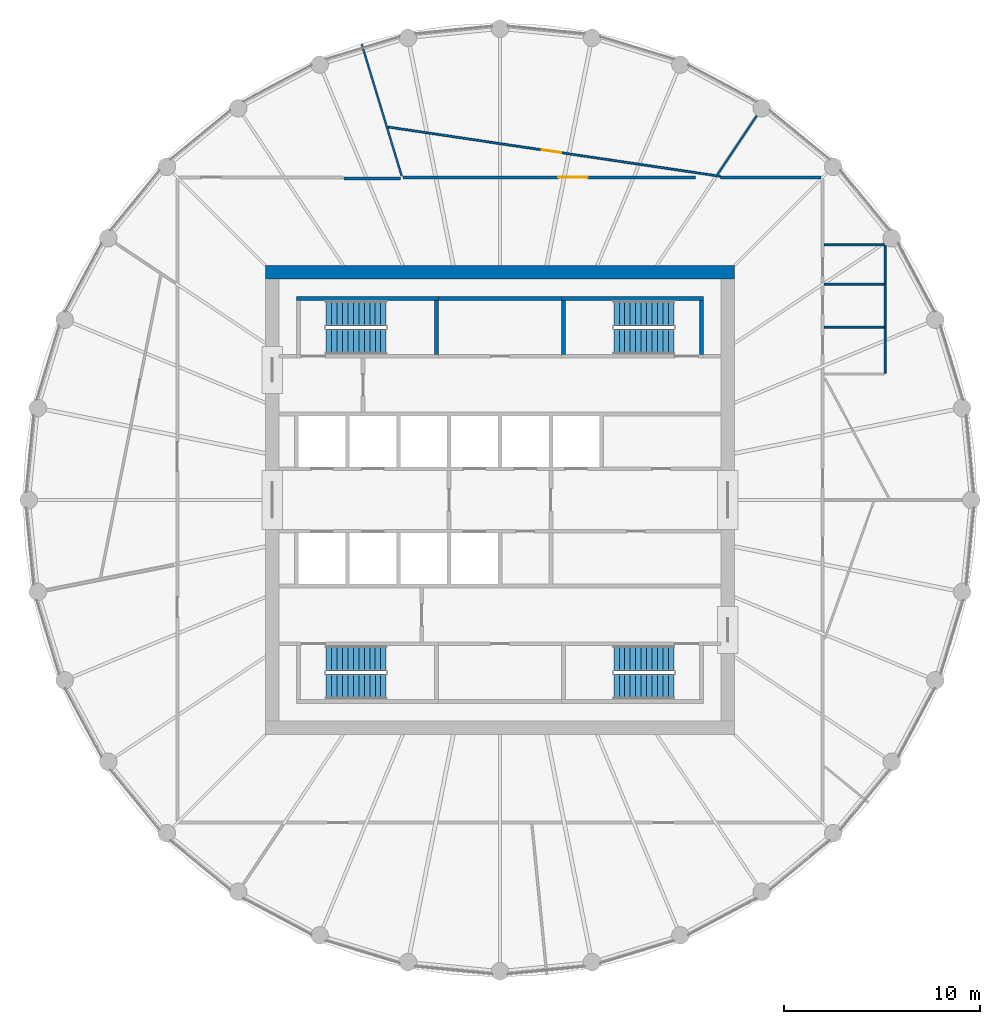
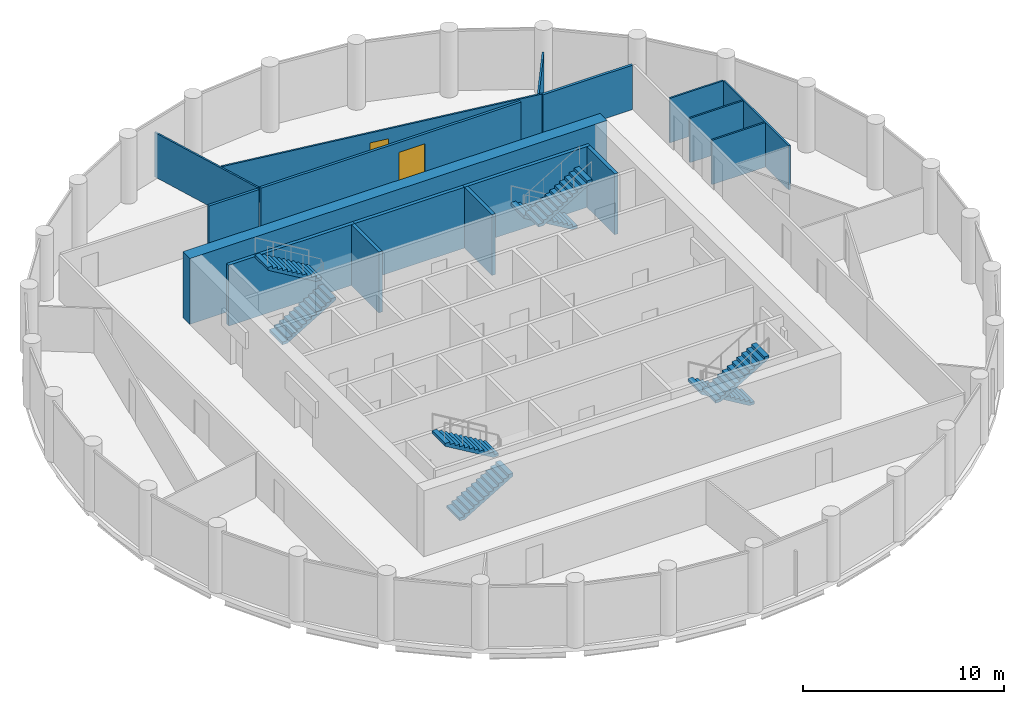
# One storey, part 6 of 7: 17 walls, 8 stair flights, 2 doors, 2 openings, 4 elements without a shape of their own.
"""IFC4 building model written with IfcOpenShell, lengths in metres."""

from ifc_helpers import new_model, si_unit, direction, frame, frame_2d, origin, place, context, subcontext, project, spatial, polyline, rectangle, outline, extrude, material, layer, layer_set, type_object, element, fill, aggregate, save


model = new_model("IFC4")

# Units and contexts
model_context = context("Model", 3, precision=1e-05, world=origin(), true_north=direction((0.0, 1.0)))
body_context = subcontext(model_context, "Body", "Model", "MODEL_VIEW")
ifc_project = project(units=[si_unit("LENGTHUNIT", "METRE"), si_unit("AREAUNIT", "SQUARE_METRE"), si_unit("VOLUMEUNIT", "CUBIC_METRE"), si_unit("PLANEANGLEUNIT", "RADIAN"), si_unit("MASSUNIT", "GRAM", prefix="KILO")], contexts=[model_context])

# Site, building, storey
site_placement = place(None, origin())
site = spatial("IfcSite", under=ifc_project, at=site_placement, CompositionType="ELEMENT")
building_placement = place(site_placement, origin())
building = spatial("IfcBuilding", under=site, at=building_placement, Name="Corvane Civic Tower", CompositionType="ELEMENT")
storey_placement = place(building_placement, frame((0.0, 0.0, 287.0)))
storey = spatial("IfcBuildingStorey", under=building, at=storey_placement, Name="L68", CompositionType="ELEMENT", Elevation=287.0)

# Walls
ifc_material_1 = material(Name="Concrete C40/50", Category="concrete")
ifc_layer_1 = layer(ifc_material_1, 0.699951171875)
ifc_layer_set_1 = layer_set([ifc_layer_1], Name="Concrete C40/50")
wall_type_1 = type_object("IfcWallType", Name="CORE WALL 700 C40/50", PredefinedType="SHEAR", material=ifc_layer_set_1)
wall_1_placement = place(storey_placement, frame((-12.0, 11.64990234375, 0.0), z_axis=(0.0, 0.0, 1.0), x_axis=(1.0, 0.0, 0.0)))
element("IfcWall", 1, at=wall_1_placement, inside=storey, type_object=wall_type_1, Name="W-L68-core-N", PredefinedType="SHEAR", context=body_context, shape_type="SweptSolid", body=[
    extrude(rectangle(XDim=24.0, YDim=0.699951171875, at=frame_2d((12.0, 0.0))), origin(), (0.0, 0.0, 1.0), 4.0),
])
ifc_material_2 = material(Name="Concrete C30/37", Category="concrete")
ifc_layer_2 = layer(ifc_material_2, 0.199951171875)
ifc_layer_set_2 = layer_set([ifc_layer_2], Name="Concrete C30/37")
wall_type_2 = type_object("IfcWallType", Name="CR-WALL-200", PredefinedType="PARTITIONING", material=ifc_layer_set_2)
wall_2_placement = place(storey_placement, origin())
element("IfcWall", 2, at=wall_2_placement, inside=storey, type_object=wall_type_2, Name="L68 core partition wall", PredefinedType="PARTITIONING", context=body_context, shape_type="SweptSolid", body=[
    extrude(outline(polyline([(3.14990234375, 10.199951171875), (-3.14990234375, 10.199951171875), (-3.14990234375, 10.39990234375), (3.14990234375, 10.39990234375), (3.14990234375, 10.199951171875)])), origin(), (0.0, 0.0, 1.0), 3.699951171875),
])
ifc_material_3 = material(Name="Plasterboard")
ifc_layer_3 = layer(ifc_material_3, 0.10009765625)
ifc_layer_set_3 = layer_set([ifc_layer_3], Name="Plasterboard")
wall_type_3 = type_object("IfcWallType", Name="Partition 100 plasterboard on studs", PredefinedType="PARTITIONING", material=ifc_layer_set_3)
wall_3_placement = place(storey_placement, frame((19.699951171875, 6.4951171875, 0.0), z_axis=(0.0, 0.0, 1.0), x_axis=(0.0, 1.0, 0.0)))
element("IfcWall", 3, at=wall_3_placement, inside=storey, type_object=wall_type_3, Name="Partition L68.015", PredefinedType="PARTITIONING", context=body_context, shape_type="SweptSolid", body=[
    extrude(rectangle(XDim=6.5, YDim=0.10009765625, at=frame_2d((3.25, 0.0))), origin(), (0.0, 0.0, 1.0), 2.699951171875),
])
for number, where, z_axis, x_axis, name in (
    (4, (16.574951171875, 8.844970703125, 0.0), (0.0, 0.0, 1.0), (1.0, 0.0, 0.0), "Partition L68.016"),
    (5, (16.574951171875, 11.044921875, 0.0), (0.0, 0.0, 1.0), (1.0, 0.0, 0.0), "Partition L68.017"),
    (6, (16.574951171875, 13.044921875, 0.0), (0.0, 0.0, 1.0), (1.0, 0.0, 0.0), "Partition L68.019"),
):
    element("IfcWall", number, at=place(storey_placement, frame(where, z_axis=z_axis, x_axis=x_axis)), inside=storey, type_object=wall_type_3, Name=name, PredefinedType="PARTITIONING", context=body_context, shape_type="SweptSolid", body=[
        extrude(rectangle(XDim=3.074951171875, YDim=0.10009765625, at=frame_2d((1.53759765625, 0.0))), origin(), (0.0, 0.0, 1.0), 2.699951171875),
    ])
wall_4_placement = place(storey_placement, frame((-7.068603515625, 23.3017578125, 0.0), z_axis=(0.0, 0.0, 1.0), x_axis=(0.290279752693, -0.956941829568, 0.0)))
element("IfcWall", 7, at=wall_4_placement, inside=storey, type_object=wall_type_3, Name="Partition L68.024", PredefinedType="PARTITIONING", context=body_context, shape_type="SweptSolid", body=[
    extrude(rectangle(XDim=7.04052734375, YDim=0.10009765625, at=frame_2d((3.520263671875, 0.0))), origin(), (0.0, 0.0, 1.0), 2.699951171875),
])

# Wall, opening, door
wall_5_placement = place(storey_placement, frame((-5.711669921875, 19.074462890625, 0.0), z_axis=(0.0, 0.0, 1.0), x_axis=(0.989177097484, -0.146726513669, 0.0)))
wall_5 = element("IfcWall", 8, at=wall_5_placement, inside=storey, type_object=wall_type_3, Name="Partition L68.025", PredefinedType="PARTITIONING", context=body_context, shape_type="SweptSolid", body=[
    extrude(rectangle(XDim=17.163330078125, YDim=0.10009765625, at=frame_2d((8.58154296875, 0.0))), origin(), (0.0, 0.0, 1.0), 2.699951171875),
])
opening_1_placement = place(wall_5_placement, frame((7.948486328125, 0.0, 0.0)))
opening_1 = element("IfcOpeningElement", 9, at=opening_1_placement, cuts=wall_5, Name="Opening L68.014", PredefinedType="OPENING", context=body_context, shape_type="SweptSolid", body=[
    extrude(rectangle(XDim=1.0, YDim=2.10009765625, at=frame_2d((0.5, 1.050048828125))), frame((0.0, 0.06005859375, 0.0), z_axis=(0.0, -1.0, 0.0), x_axis=(1.0, 0.0, 0.0)), (0.0, 0.0, 1.0), 0.1201171875),
])
ifc_material_4 = material(Name="Timber", Category="wood")
door_type_1 = type_object("IfcDoorType", Name="Single door 1000", OperationType="NOTDEFINED", PredefinedType="DOOR", material=ifc_material_4)
door_1_placement = place(opening_1_placement, origin())
door_1 = element("IfcDoor", 10, at=door_1_placement, inside=storey, type_object=door_type_1, Name="Door L68.014", OperationType="SINGLE_SWING_LEFT", OverallHeight=2.10009765625, OverallWidth=1.0, PredefinedType="DOOR", context=body_context, shape_type="SweptSolid", body=[
    extrude(rectangle(XDim=1.0, YDim=2.10009765625, at=frame_2d((0.5, 1.050048828125))), frame((0.0, 0.02490234375, 0.0), z_axis=(0.0, -1.0, 0.0), x_axis=(1.0, 0.0, 0.0)), (0.0, 0.0, 1.0), 0.050048828125),
])
fill(opening_1, door_1)

# Walls
wall_6_placement = place(storey_placement, frame((11.1328125, 16.661376953125, 0.0), z_axis=(0.0, 0.0, 1.0), x_axis=(0.555529029724, 0.831497141988, 0.0)))
element("IfcWall", 11, at=wall_6_placement, inside=storey, type_object=wall_type_3, Name="Partition L68.026", PredefinedType="PARTITIONING", context=body_context, shape_type="SweptSolid", body=[
    extrude(rectangle(XDim=3.6015625, YDim=0.10009765625, at=frame_2d((1.80078125, 0.0))), origin(), (0.0, 0.0, 1.0), 2.699951171875),
])
ifc_material_5 = material(Name="Concrete C50/60", Category="concrete")
ifc_layer_4 = layer(ifc_material_5, 0.199951171875)
ifc_layer_set_4 = layer_set([ifc_layer_4], Name="Concrete C50/60")
wall_type_4 = type_object("IfcWallType", Name="ST-WALL-200", PredefinedType="SHEAR", material=ifc_layer_set_4)
wall_7_placement = place(storey_placement, origin())
element("IfcWall", 12, at=wall_7_placement, inside=storey, type_object=wall_type_4, Name="L68 stair enclosure wall", PredefinedType="SHEAR", context=body_context, shape_type="SweptSolid", body=[
    extrude(outline(polyline([(-3.14990234375, 10.199951171875), (-10.39990234375, 10.199951171875), (-10.39990234375, 10.39990234375), (-3.14990234375, 10.39990234375), (-3.14990234375, 10.199951171875)])), origin(), (0.0, 0.0, 1.0), 3.699951171875),
])
wall_8_placement = place(storey_placement, origin())
element("IfcWall", 13, at=wall_8_placement, inside=storey, type_object=wall_type_4, Name="L68 stair enclosure wall", PredefinedType="SHEAR", context=body_context, shape_type="SweptSolid", body=[
    extrude(outline(polyline([(10.39990234375, 10.199951171875), (3.14990234375, 10.199951171875), (3.14990234375, 10.39990234375), (10.39990234375, 10.39990234375), (10.39990234375, 10.199951171875)])), origin(), (0.0, 0.0, 1.0), 3.699951171875),
])
wall_9_placement = place(storey_placement, origin())
element("IfcWall", 14, at=wall_9_placement, inside=storey, type_object=wall_type_4, Name="L68 stair enclosure wall", PredefinedType="SHEAR", context=body_context, shape_type="SweptSolid", body=[
    extrude(outline(polyline([(-3.14990234375, 7.449951171875), (-3.35009765625, 7.449951171875), (-3.35009765625, 10.199951171875), (-3.14990234375, 10.199951171875), (-3.14990234375, 7.449951171875)])), origin(), (0.0, 0.0, 1.0), 3.699951171875),
])
wall_10_placement = place(storey_placement, origin())
element("IfcWall", 15, at=wall_10_placement, inside=storey, type_object=wall_type_4, Name="L68 stair enclosure wall", PredefinedType="SHEAR", context=body_context, shape_type="SweptSolid", body=[
    extrude(outline(polyline([(3.35009765625, 7.449951171875), (3.14990234375, 7.449951171875), (3.14990234375, 10.199951171875), (3.35009765625, 10.199951171875), (3.35009765625, 7.449951171875)])), origin(), (0.0, 0.0, 1.0), 3.699951171875),
])
wall_11_placement = place(storey_placement, origin())
element("IfcWall", 16, at=wall_11_placement, inside=storey, type_object=wall_type_4, Name="L68 stair enclosure wall", PredefinedType="SHEAR", context=body_context, shape_type="SweptSolid", body=[
    extrude(outline(polyline([(10.39990234375, 7.449951171875), (10.199951171875, 7.449951171875), (10.199951171875, 10.199951171875), (10.39990234375, 10.199951171875), (10.39990234375, 7.449951171875)])), origin(), (0.0, 0.0, 1.0), 3.699951171875),
])
ifc_material_6 = material(Name="Plasterboard")
ifc_layer_5 = layer(ifc_material_6, 0.14990234375)
ifc_layer_set_5 = layer_set([ifc_layer_5], Name="Plasterboard")
wall_type_5 = type_object("IfcWallType", Name="Tenancy wall 150 EI 60", PredefinedType="PARTITIONING", material=ifc_layer_set_5)
wall_12_placement = place(storey_placement, frame((-7.97705078125, 16.449951171875, 0.0), z_axis=(0.0, 0.0, 1.0), x_axis=(1.0, 0.0, 0.0)))
element("IfcWall", 17, at=wall_12_placement, inside=storey, type_object=wall_type_5, Name="Partition L68.020", PredefinedType="PARTITIONING", context=body_context, shape_type="SweptSolid", body=[
    extrude(rectangle(XDim=2.8857421875, YDim=0.14990234375, at=frame_2d((1.44287109375, 0.0))), origin(), (0.0, 0.0, 1.0), 2.699951171875),
])

# Wall, opening, door
wall_13_placement = place(storey_placement, frame((-4.94970703125, 16.5, 0.0), z_axis=(0.0, 0.0, 1.0), x_axis=(1.0, 0.0, 0.0)))
wall_13 = element("IfcWall", 18, at=wall_13_placement, inside=storey, type_object=wall_type_5, Name="Partition L68.022", PredefinedType="PARTITIONING", context=body_context, shape_type="SweptSolid", body=[
    extrude(rectangle(XDim=14.9580078125, YDim=0.14990234375, at=frame_2d((7.47900390625, 0.0))), origin(), (0.0, 0.0, 1.0), 2.699951171875),
])
opening_2_placement = place(wall_13_placement, frame((7.93701171875, 0.0, 0.0)))
opening_2 = element("IfcOpeningElement", 19, at=opening_2_placement, cuts=wall_13, Name="Opening L68.015", PredefinedType="OPENING", context=body_context, shape_type="SweptSolid", body=[
    extrude(rectangle(XDim=1.5, YDim=2.10009765625, at=frame_2d((0.75, 1.050048828125))), frame((0.0, 0.0849609375, 0.0), z_axis=(0.0, -1.0, 0.0), x_axis=(1.0, 0.0, 0.0)), (0.0, 0.0, 1.0), 0.169921875),
])
ifc_material_7 = material(Name="Steel and timber", Category="steel")
door_type_2 = type_object("IfcDoorType", Name="Fire door FD60 double 1500", OperationType="NOTDEFINED", PredefinedType="DOOR", material=ifc_material_7)
door_2_placement = place(opening_2_placement, origin())
door_2 = element("IfcDoor", 20, at=door_2_placement, inside=storey, type_object=door_type_2, Name="Door L68.015", OperationType="DOUBLE_DOOR_SINGLE_SWING", OverallHeight=2.10009765625, OverallWidth=1.5, PredefinedType="DOOR", context=body_context, shape_type="SweptSolid", body=[
    extrude(rectangle(XDim=1.5, YDim=2.10009765625, at=frame_2d((0.75, 1.050048828125))), frame((0.0, 0.02490234375, 0.0), z_axis=(0.0, -1.0, 0.0), x_axis=(1.0, 0.0, 0.0)), (0.0, 0.0, 1.0), 0.050048828125),
])
fill(opening_2, door_2)

# Wall
wall_14_placement = place(storey_placement, frame((11.265869140625, 16.5, 0.0), z_axis=(0.0, 0.0, 1.0), x_axis=(1.0, 0.0, 0.0)))
element("IfcWall", 21, at=wall_14_placement, inside=storey, type_object=wall_type_5, Name="Partition L68.023", PredefinedType="PARTITIONING", context=body_context, shape_type="SweptSolid", body=[
    extrude(rectangle(XDim=5.1591796875, YDim=0.14990234375, at=frame_2d((2.57958984375, 0.0))), origin(), (0.0, 0.0, 1.0), 2.699951171875),
])

# Stair, stair flights
ifc_material_8 = material(Name="Concrete C40/50", Category="concrete")
stair_type = type_object("IfcStairType", Name="ST-STAIR-HALFTURN", PredefinedType="HALF_TURN_STAIR", material=ifc_material_8)
stair_1_placement = place(storey_placement, origin())
stair_1 = element("IfcStair", 22, at=stair_1_placement, inside=storey, type_object=stair_type, Name="L68 Exit stair ST1", PredefinedType="HALF_TURN_STAIR")
ifc_material_9 = material(Name="Concrete C40/50", Category="concrete")
stair_flight_type = type_object("IfcStairFlightType", Name="ST-FLIGHT-RC", PredefinedType="STRAIGHT", material=ifc_material_9)
stair_flight_1_placement = place(storey_placement, frame((8.89990234375, 9.550048828125, 0.0), z_axis=(0.0, 0.0, 1.0), x_axis=(-1.0, 0.0, 0.0)))
stair_flight_1 = element("IfcStairFlight", 23, at=stair_flight_1_placement, type_object=stair_flight_type, Name="ST1 flight 1", NumberOfRisers=12, NumberOfTreads=11, PredefinedType="STRAIGHT", RiserHeight=0.166666667, TreadLength=0.28, context=body_context, shape_type="SweptSolid", body=[
    extrude(outline(polyline([(0.0, 0.0), (0.0, 0.166748046875), (0.280029296875, 0.166748046875), (0.280029296875, 0.333251953125), (0.56005859375, 0.333251953125), (0.56005859375, 0.5), (0.840087890625, 0.5), (0.840087890625, 0.666748046875), (1.1201171875, 0.666748046875), (1.1201171875, 0.833251953125), (1.39990234375, 0.833251953125), (1.39990234375, 1.0), (1.679931640625, 1.0), (1.679931640625, 1.166748046875), (1.9599609375, 1.166748046875), (1.9599609375, 1.333251953125), (2.239990234375, 1.333251953125), (2.239990234375, 1.5), (2.52001953125, 1.5), (2.52001953125, 1.666748046875), (2.800048828125, 1.666748046875), (2.800048828125, 1.833251953125), (3.080078125, 1.833251953125), (3.080078125, 2.0), (3.080078125, 1.658935546875), (0.29296875, 0.0), (0.0, 0.0)])), frame((0.0, 0.64990234375, 0.0), z_axis=(0.0, -1.0, 0.0), x_axis=(1.0, 0.0, 0.0)), (0.0, 0.0, 1.0), 1.300048828125),
])
stair_flight_2_placement = place(storey_placement, frame((5.820068359375, 8.10009765625, 2.0), z_axis=(0.0, 0.0, 1.0), x_axis=(1.0, 0.0, 0.0)))
stair_flight_2 = element("IfcStairFlight", 24, at=stair_flight_2_placement, type_object=stair_flight_type, Name="ST1 flight 2", NumberOfRisers=12, NumberOfTreads=11, PredefinedType="STRAIGHT", RiserHeight=0.166666667, TreadLength=0.28, context=body_context, shape_type="SweptSolid", body=[
    extrude(outline(polyline([(0.0, 0.0), (0.0, 0.166748046875), (0.280029296875, 0.166748046875), (0.280029296875, 0.333251953125), (0.56005859375, 0.333251953125), (0.56005859375, 0.5), (0.840087890625, 0.5), (0.840087890625, 0.666748046875), (1.1201171875, 0.666748046875), (1.1201171875, 0.833251953125), (1.39990234375, 0.833251953125), (1.39990234375, 1.0), (1.679931640625, 1.0), (1.679931640625, 1.166748046875), (1.9599609375, 1.166748046875), (1.9599609375, 1.333251953125), (2.239990234375, 1.333251953125), (2.239990234375, 1.5), (2.52001953125, 1.5), (2.52001953125, 1.666748046875), (2.800048828125, 1.666748046875), (2.800048828125, 1.833251953125), (3.080078125, 1.833251953125), (3.080078125, 2.0), (3.080078125, 1.658935546875), (0.29296875, 0.0), (0.0, 0.0)])), frame((0.0, 0.64990234375, 0.0), z_axis=(0.0, -1.0, 0.0), x_axis=(1.0, 0.0, 0.0)), (0.0, 0.0, 1.0), 1.300048828125),
])
aggregate(stair_1, [stair_flight_1, stair_flight_2])

stair_2_placement = place(storey_placement, origin())
stair_2 = element("IfcStair", 25, at=stair_2_placement, inside=storey, type_object=stair_type, Name="L68 Exit stair ST2", PredefinedType="HALF_TURN_STAIR")
stair_flight_3_placement = place(storey_placement, frame((8.89990234375, -8.10009765625, 0.0), z_axis=(0.0, 0.0, 1.0), x_axis=(-1.0, 0.0, 0.0)))
stair_flight_3 = element("IfcStairFlight", 26, at=stair_flight_3_placement, type_object=stair_flight_type, Name="ST2 flight 1", NumberOfRisers=12, NumberOfTreads=11, PredefinedType="STRAIGHT", RiserHeight=0.166666667, TreadLength=0.28, context=body_context, shape_type="SweptSolid", body=[
    extrude(outline(polyline([(0.0, 0.0), (0.0, 0.166748046875), (0.280029296875, 0.166748046875), (0.280029296875, 0.333251953125), (0.56005859375, 0.333251953125), (0.56005859375, 0.5), (0.840087890625, 0.5), (0.840087890625, 0.666748046875), (1.1201171875, 0.666748046875), (1.1201171875, 0.833251953125), (1.39990234375, 0.833251953125), (1.39990234375, 1.0), (1.679931640625, 1.0), (1.679931640625, 1.166748046875), (1.9599609375, 1.166748046875), (1.9599609375, 1.333251953125), (2.239990234375, 1.333251953125), (2.239990234375, 1.5), (2.52001953125, 1.5), (2.52001953125, 1.666748046875), (2.800048828125, 1.666748046875), (2.800048828125, 1.833251953125), (3.080078125, 1.833251953125), (3.080078125, 2.0), (3.080078125, 1.658935546875), (0.29296875, 0.0), (0.0, 0.0)])), frame((0.0, 0.64990234375, 0.0), z_axis=(0.0, -1.0, 0.0), x_axis=(1.0, 0.0, 0.0)), (0.0, 0.0, 1.0), 1.300048828125),
])
stair_flight_4_placement = place(storey_placement, frame((5.820068359375, -9.550048828125, 2.0), z_axis=(0.0, 0.0, 1.0), x_axis=(1.0, 0.0, 0.0)))
stair_flight_4 = element("IfcStairFlight", 27, at=stair_flight_4_placement, type_object=stair_flight_type, Name="ST2 flight 2", NumberOfRisers=12, NumberOfTreads=11, PredefinedType="STRAIGHT", RiserHeight=0.166666667, TreadLength=0.28, context=body_context, shape_type="SweptSolid", body=[
    extrude(outline(polyline([(0.0, 0.0), (0.0, 0.166748046875), (0.280029296875, 0.166748046875), (0.280029296875, 0.333251953125), (0.56005859375, 0.333251953125), (0.56005859375, 0.5), (0.840087890625, 0.5), (0.840087890625, 0.666748046875), (1.1201171875, 0.666748046875), (1.1201171875, 0.833251953125), (1.39990234375, 0.833251953125), (1.39990234375, 1.0), (1.679931640625, 1.0), (1.679931640625, 1.166748046875), (1.9599609375, 1.166748046875), (1.9599609375, 1.333251953125), (2.239990234375, 1.333251953125), (2.239990234375, 1.5), (2.52001953125, 1.5), (2.52001953125, 1.666748046875), (2.800048828125, 1.666748046875), (2.800048828125, 1.833251953125), (3.080078125, 1.833251953125), (3.080078125, 2.0), (3.080078125, 1.658935546875), (0.29296875, 0.0), (0.0, 0.0)])), frame((0.0, 0.64990234375, 0.0), z_axis=(0.0, -1.0, 0.0), x_axis=(1.0, 0.0, 0.0)), (0.0, 0.0, 1.0), 1.300048828125),
])
aggregate(stair_2, [stair_flight_3, stair_flight_4])

stair_3_placement = place(storey_placement, origin())
stair_3 = element("IfcStair", 28, at=stair_3_placement, inside=storey, type_object=stair_type, Name="L68 Exit stair ST3", PredefinedType="HALF_TURN_STAIR")
stair_flight_5_placement = place(storey_placement, frame((-8.89990234375, -9.550048828125, 0.0), z_axis=(0.0, 0.0, 1.0), x_axis=(1.0, 0.0, 0.0)))
stair_flight_5 = element("IfcStairFlight", 29, at=stair_flight_5_placement, type_object=stair_flight_type, Name="ST3 flight 1", NumberOfRisers=12, NumberOfTreads=11, PredefinedType="STRAIGHT", RiserHeight=0.166666667, TreadLength=0.28, context=body_context, shape_type="SweptSolid", body=[
    extrude(outline(polyline([(0.0, 0.0), (0.0, 0.166748046875), (0.280029296875, 0.166748046875), (0.280029296875, 0.333251953125), (0.56005859375, 0.333251953125), (0.56005859375, 0.5), (0.840087890625, 0.5), (0.840087890625, 0.666748046875), (1.1201171875, 0.666748046875), (1.1201171875, 0.833251953125), (1.39990234375, 0.833251953125), (1.39990234375, 1.0), (1.679931640625, 1.0), (1.679931640625, 1.166748046875), (1.9599609375, 1.166748046875), (1.9599609375, 1.333251953125), (2.239990234375, 1.333251953125), (2.239990234375, 1.5), (2.52001953125, 1.5), (2.52001953125, 1.666748046875), (2.800048828125, 1.666748046875), (2.800048828125, 1.833251953125), (3.080078125, 1.833251953125), (3.080078125, 2.0), (3.080078125, 1.658935546875), (0.29296875, 0.0), (0.0, 0.0)])), frame((0.0, 0.64990234375, 0.0), z_axis=(0.0, -1.0, 0.0), x_axis=(1.0, 0.0, 0.0)), (0.0, 0.0, 1.0), 1.300048828125),
])
stair_flight_6_placement = place(storey_placement, frame((-5.820068359375, -8.10009765625, 2.0), z_axis=(0.0, 0.0, 1.0), x_axis=(-1.0, 0.0, 0.0)))
stair_flight_6 = element("IfcStairFlight", 30, at=stair_flight_6_placement, type_object=stair_flight_type, Name="ST3 flight 2", NumberOfRisers=12, NumberOfTreads=11, PredefinedType="STRAIGHT", RiserHeight=0.166666667, TreadLength=0.28, context=body_context, shape_type="SweptSolid", body=[
    extrude(outline(polyline([(0.0, 0.0), (0.0, 0.166748046875), (0.280029296875, 0.166748046875), (0.280029296875, 0.333251953125), (0.56005859375, 0.333251953125), (0.56005859375, 0.5), (0.840087890625, 0.5), (0.840087890625, 0.666748046875), (1.1201171875, 0.666748046875), (1.1201171875, 0.833251953125), (1.39990234375, 0.833251953125), (1.39990234375, 1.0), (1.679931640625, 1.0), (1.679931640625, 1.166748046875), (1.9599609375, 1.166748046875), (1.9599609375, 1.333251953125), (2.239990234375, 1.333251953125), (2.239990234375, 1.5), (2.52001953125, 1.5), (2.52001953125, 1.666748046875), (2.800048828125, 1.666748046875), (2.800048828125, 1.833251953125), (3.080078125, 1.833251953125), (3.080078125, 2.0), (3.080078125, 1.658935546875), (0.29296875, 0.0), (0.0, 0.0)])), frame((0.0, 0.64990234375, 0.0), z_axis=(0.0, -1.0, 0.0), x_axis=(1.0, 0.0, 0.0)), (0.0, 0.0, 1.0), 1.300048828125),
])
aggregate(stair_3, [stair_flight_5, stair_flight_6])

stair_4_placement = place(storey_placement, origin())
stair_4 = element("IfcStair", 31, at=stair_4_placement, inside=storey, type_object=stair_type, Name="L68 Exit stair ST4", PredefinedType="HALF_TURN_STAIR")
stair_flight_7_placement = place(storey_placement, frame((-8.89990234375, 8.10009765625, 0.0), z_axis=(0.0, 0.0, 1.0), x_axis=(1.0, 0.0, 0.0)))
stair_flight_7 = element("IfcStairFlight", 32, at=stair_flight_7_placement, type_object=stair_flight_type, Name="ST4 flight 1", NumberOfRisers=12, NumberOfTreads=11, PredefinedType="STRAIGHT", RiserHeight=0.166666667, TreadLength=0.28, context=body_context, shape_type="SweptSolid", body=[
    extrude(outline(polyline([(0.0, 0.0), (0.0, 0.166748046875), (0.280029296875, 0.166748046875), (0.280029296875, 0.333251953125), (0.56005859375, 0.333251953125), (0.56005859375, 0.5), (0.840087890625, 0.5), (0.840087890625, 0.666748046875), (1.1201171875, 0.666748046875), (1.1201171875, 0.833251953125), (1.39990234375, 0.833251953125), (1.39990234375, 1.0), (1.679931640625, 1.0), (1.679931640625, 1.166748046875), (1.9599609375, 1.166748046875), (1.9599609375, 1.333251953125), (2.239990234375, 1.333251953125), (2.239990234375, 1.5), (2.52001953125, 1.5), (2.52001953125, 1.666748046875), (2.800048828125, 1.666748046875), (2.800048828125, 1.833251953125), (3.080078125, 1.833251953125), (3.080078125, 2.0), (3.080078125, 1.658935546875), (0.29296875, 0.0), (0.0, 0.0)])), frame((0.0, 0.64990234375, 0.0), z_axis=(0.0, -1.0, 0.0), x_axis=(1.0, 0.0, 0.0)), (0.0, 0.0, 1.0), 1.300048828125),
])
stair_flight_8_placement = place(storey_placement, frame((-5.820068359375, 9.550048828125, 2.0), z_axis=(0.0, 0.0, 1.0), x_axis=(-1.0, 0.0, 0.0)))
stair_flight_8 = element("IfcStairFlight", 33, at=stair_flight_8_placement, type_object=stair_flight_type, Name="ST4 flight 2", NumberOfRisers=12, NumberOfTreads=11, PredefinedType="STRAIGHT", RiserHeight=0.166666667, TreadLength=0.28, context=body_context, shape_type="SweptSolid", body=[
    extrude(outline(polyline([(0.0, 0.0), (0.0, 0.166748046875), (0.280029296875, 0.166748046875), (0.280029296875, 0.333251953125), (0.56005859375, 0.333251953125), (0.56005859375, 0.5), (0.840087890625, 0.5), (0.840087890625, 0.666748046875), (1.1201171875, 0.666748046875), (1.1201171875, 0.833251953125), (1.39990234375, 0.833251953125), (1.39990234375, 1.0), (1.679931640625, 1.0), (1.679931640625, 1.166748046875), (1.9599609375, 1.166748046875), (1.9599609375, 1.333251953125), (2.239990234375, 1.333251953125), (2.239990234375, 1.5), (2.52001953125, 1.5), (2.52001953125, 1.666748046875), (2.800048828125, 1.666748046875), (2.800048828125, 1.833251953125), (3.080078125, 1.833251953125), (3.080078125, 2.0), (3.080078125, 1.658935546875), (0.29296875, 0.0), (0.0, 0.0)])), frame((0.0, 0.64990234375, 0.0), z_axis=(0.0, -1.0, 0.0), x_axis=(1.0, 0.0, 0.0)), (0.0, 0.0, 1.0), 1.300048828125),
])
aggregate(stair_4, [stair_flight_7, stair_flight_8])

save(model, "model.ifc")
